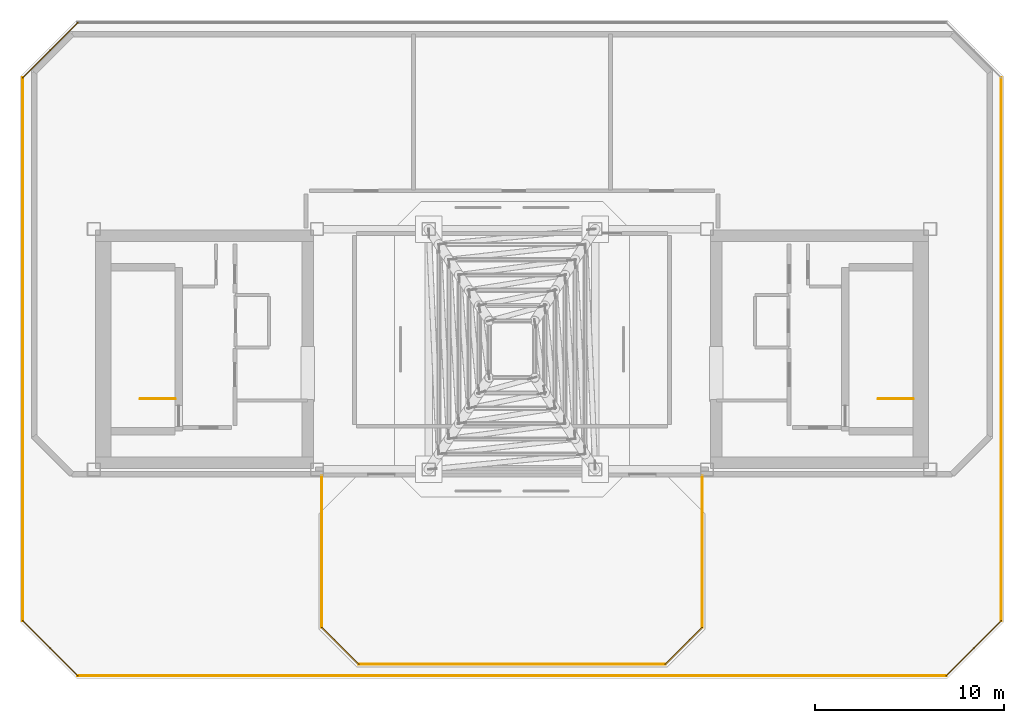
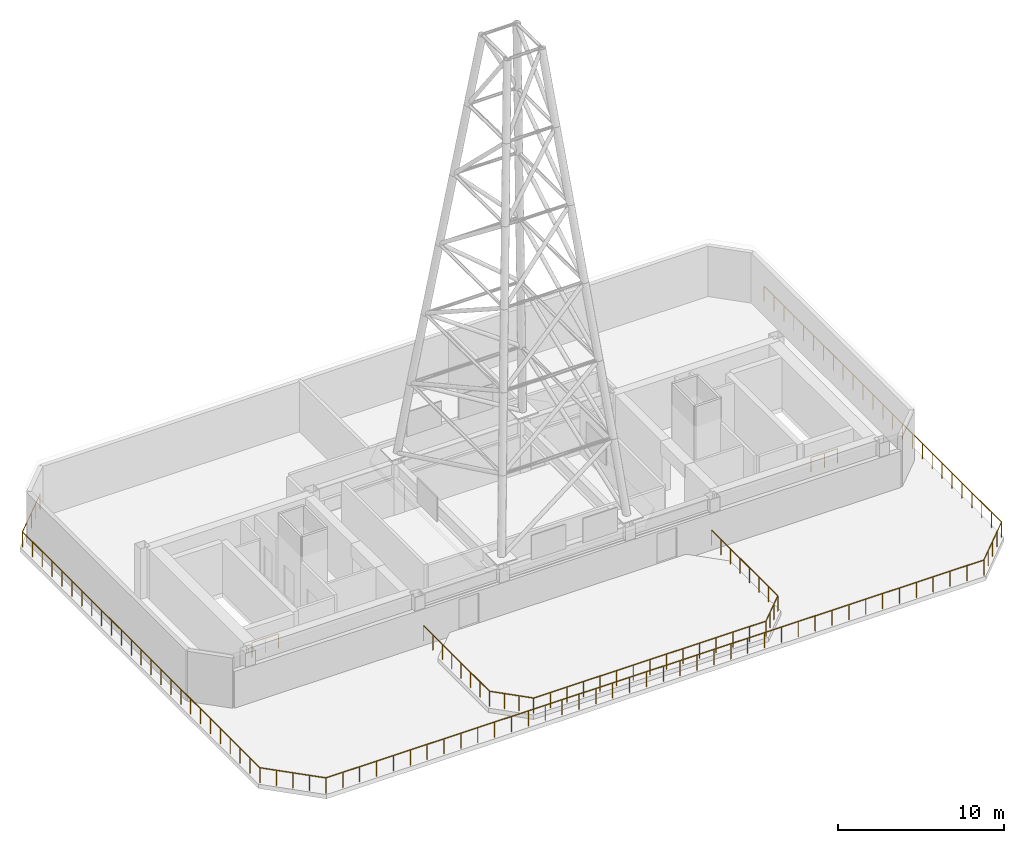
# One storey, part 6 of 7: 13 railings.
"""IFC4 building model written with IfcOpenShell, lengths in metres."""

from ifc_helpers import new_model, si_unit, direction, frame, origin, origin_2d, place, context, subcontext, project, spatial, rectangle, extrude, material, layer, layer_set, type_object, element, save


model = new_model("IFC4")

# Units and contexts
model_context = context("Model", 3, precision=1e-05, world=origin(), true_north=direction((0.0, 1.0)))
body_context = subcontext(model_context, "Body", "Model", "MODEL_VIEW")
ifc_project = project(units=[si_unit("LENGTHUNIT", "METRE"), si_unit("AREAUNIT", "SQUARE_METRE"), si_unit("VOLUMEUNIT", "CUBIC_METRE"), si_unit("PLANEANGLEUNIT", "RADIAN"), si_unit("MASSUNIT", "GRAM", prefix="KILO")], contexts=[model_context])

# Site, building, storey
site_placement = place(None, origin())
site = spatial("IfcSite", under=ifc_project, at=site_placement, CompositionType="ELEMENT")
building_placement = place(site_placement, origin())
building = spatial("IfcBuilding", under=site, at=building_placement, Name="Tavrogorsk Clinical Tower", CompositionType="ELEMENT")
storey_placement = place(building_placement, frame((0.0, 0.0, 357.0)))
storey = spatial("IfcBuildingStorey", under=building, at=storey_placement, Name="L83", CompositionType="ELEMENT", Elevation=357.0)

# Railings
ifc_material_1 = material(Name="Galvanised steel S355 safety guardrail", Category="steel")
ifc_layer_1 = layer(ifc_material_1, 0.080078125)
ifc_layer_set_1 = layer_set([ifc_layer_1], Name="Galvanised steel S355 safety guardrail")
railing_type_1 = type_object("IfcRailingType", Name="RoofEdgeGuardRailing_1150", PredefinedType="GUARDRAIL", material=ifc_layer_set_1)
railing_1_placement = place(storey_placement, frame((-22.94189453125, -17.260009765625, 0.0)))
element("IfcRailing", 1, at=railing_1_placement, inside=storey, type_object=railing_type_1, Name="L83 Helipad Terrace Perimeter Guard GD-02-01", PredefinedType="GUARDRAIL", context=body_context, shape_type="SweptSolid", body=[
    extrude(rectangle(XDim=0.048095703125, YDim=0.048095703125, at=origin_2d()), frame((0.0, 0.0, 1.1259765625), z_axis=(-0.707136360437, 0.707077200698, 0.0), x_axis=(-0.707077200698, -0.707136360437, 0.0)), (0.0, 0.0, 1.0), 4.126708984375),
    extrude(rectangle(XDim=0.0419921875, YDim=0.0419921875, at=origin_2d()), origin(), (0.0, 0.0, 1.0), 1.101806640625),
    extrude(rectangle(XDim=0.0419921875, YDim=0.0419921875, at=origin_2d()), frame((-0.7294921875, 0.7294921875, 0.0)), (0.0, 0.0, 1.0), 1.101806640625),
    extrude(rectangle(XDim=0.0419921875, YDim=0.0419921875, at=origin_2d()), frame((-1.458984375, 1.458984375, 0.0)), (0.0, 0.0, 1.0), 1.101806640625),
    extrude(rectangle(XDim=0.0419921875, YDim=0.0419921875, at=origin_2d()), frame((-2.188720703125, 2.1884765625, 0.0)), (0.0, 0.0, 1.0), 1.101806640625),
    extrude(rectangle(XDim=0.0419921875, YDim=0.0419921875, at=origin_2d()), frame((-2.918212890625, 2.91796875, 0.0)), (0.0, 0.0, 1.0), 1.101806640625),
])
railing_2_placement = place(storey_placement, frame((-25.860107421875, -14.342041015625, 0.0)))
element("IfcRailing", 2, at=railing_2_placement, inside=storey, type_object=railing_type_1, Name="L83 Helipad Terrace Perimeter Guard GD-02-02", PredefinedType="GUARDRAIL", context=body_context, shape_type="SweptSolid", body=[
    extrude(rectangle(XDim=0.048095703125, YDim=0.048095703125, at=origin_2d()), frame((0.0, 0.0, 1.1259765625), z_axis=(0.0, 1.0, 0.0), x_axis=(-1.0, 0.0, 0.0)), (0.0, 0.0, 1.0), 28.68408203125),
    extrude(rectangle(XDim=0.0419921875, YDim=0.0419921875, at=origin_2d()), origin(), (0.0, 0.0, 1.0), 1.101806640625),
    extrude(rectangle(XDim=0.0419921875, YDim=0.0419921875, at=origin_2d()), frame((0.0, 1.195068359375, 0.0)), (0.0, 0.0, 1.0), 1.101806640625),
    extrude(rectangle(XDim=0.0419921875, YDim=0.0419921875, at=origin_2d()), frame((0.0, 2.390380859375, 0.0)), (0.0, 0.0, 1.0), 1.101806640625),
    extrude(rectangle(XDim=0.0419921875, YDim=0.0419921875, at=origin_2d()), frame((0.0, 3.58544921875, 0.0)), (0.0, 0.0, 1.0), 1.101806640625),
    extrude(rectangle(XDim=0.0419921875, YDim=0.0419921875, at=origin_2d()), frame((0.0, 4.78076171875, 0.0)), (0.0, 0.0, 1.0), 1.101806640625),
    extrude(rectangle(XDim=0.0419921875, YDim=0.0419921875, at=origin_2d()), frame((0.0, 5.975830078125, 0.0)), (0.0, 0.0, 1.0), 1.101806640625),
    extrude(rectangle(XDim=0.0419921875, YDim=0.0419921875, at=origin_2d()), frame((0.0, 7.1708984375, 0.0)), (0.0, 0.0, 1.0), 1.101806640625),
    extrude(rectangle(XDim=0.0419921875, YDim=0.0419921875, at=origin_2d()), frame((0.0, 8.3662109375, 0.0)), (0.0, 0.0, 1.0), 1.101806640625),
    extrude(rectangle(XDim=0.0419921875, YDim=0.0419921875, at=origin_2d()), frame((0.0, 9.561279296875, 0.0)), (0.0, 0.0, 1.0), 1.101806640625),
    extrude(rectangle(XDim=0.0419921875, YDim=0.0419921875, at=origin_2d()), frame((0.0, 10.756591796875, 0.0)), (0.0, 0.0, 1.0), 1.101806640625),
    extrude(rectangle(XDim=0.0419921875, YDim=0.0419921875, at=origin_2d()), frame((0.0, 11.95166015625, 0.0)), (0.0, 0.0, 1.0), 1.101806640625),
    extrude(rectangle(XDim=0.0419921875, YDim=0.0419921875, at=origin_2d()), frame((0.0, 13.14697265625, 0.0)), (0.0, 0.0, 1.0), 1.101806640625),
    extrude(rectangle(XDim=0.0419921875, YDim=0.0419921875, at=origin_2d()), frame((0.0, 14.342041015625, 0.0)), (0.0, 0.0, 1.0), 1.101806640625),
    extrude(rectangle(XDim=0.0419921875, YDim=0.0419921875, at=origin_2d()), frame((0.0, 15.537109375, 0.0)), (0.0, 0.0, 1.0), 1.101806640625),
    extrude(rectangle(XDim=0.0419921875, YDim=0.0419921875, at=origin_2d()), frame((0.0, 16.732421875, 0.0)), (0.0, 0.0, 1.0), 1.101806640625),
    extrude(rectangle(XDim=0.0419921875, YDim=0.0419921875, at=origin_2d()), frame((0.0, 17.927490234375, 0.0)), (0.0, 0.0, 1.0), 1.101806640625),
    extrude(rectangle(XDim=0.0419921875, YDim=0.0419921875, at=origin_2d()), frame((0.0, 19.122802734375, 0.0)), (0.0, 0.0, 1.0), 1.101806640625),
    extrude(rectangle(XDim=0.0419921875, YDim=0.0419921875, at=origin_2d()), frame((0.0, 20.31787109375, 0.0)), (0.0, 0.0, 1.0), 1.101806640625),
    extrude(rectangle(XDim=0.0419921875, YDim=0.0419921875, at=origin_2d()), frame((0.0, 21.51318359375, 0.0)), (0.0, 0.0, 1.0), 1.101806640625),
    extrude(rectangle(XDim=0.0419921875, YDim=0.0419921875, at=origin_2d()), frame((0.0, 22.708251953125, 0.0)), (0.0, 0.0, 1.0), 1.101806640625),
    extrude(rectangle(XDim=0.0419921875, YDim=0.0419921875, at=origin_2d()), frame((0.0, 23.9033203125, 0.0)), (0.0, 0.0, 1.0), 1.101806640625),
    extrude(rectangle(XDim=0.0419921875, YDim=0.0419921875, at=origin_2d()), frame((0.0, 25.0986328125, 0.0)), (0.0, 0.0, 1.0), 1.101806640625),
    extrude(rectangle(XDim=0.0419921875, YDim=0.0419921875, at=origin_2d()), frame((0.0, 26.293701171875, 0.0)), (0.0, 0.0, 1.0), 1.101806640625),
    extrude(rectangle(XDim=0.0419921875, YDim=0.0419921875, at=origin_2d()), frame((0.0, 27.489013671875, 0.0)), (0.0, 0.0, 1.0), 1.101806640625),
    extrude(rectangle(XDim=0.0419921875, YDim=0.0419921875, at=origin_2d()), frame((0.0, 28.68408203125, 0.0)), (0.0, 0.0, 1.0), 1.101806640625),
])
railing_3_placement = place(storey_placement, frame((-25.860107421875, 14.342041015625, 0.0)))
element("IfcRailing", 3, at=railing_3_placement, inside=storey, type_object=railing_type_1, Name="L83 Helipad Terrace Perimeter Guard GD-02-03", PredefinedType="GUARDRAIL", context=body_context, shape_type="SweptSolid", body=[
    extrude(rectangle(XDim=0.048095703125, YDim=0.048095703125, at=origin_2d()), frame((0.0, 0.0, 1.1259765625), z_axis=(0.707136360437, 0.707077200698, 0.0), x_axis=(-0.707077200698, 0.707136360437, 0.0)), (0.0, 0.0, 1.0), 4.126708984375),
    extrude(rectangle(XDim=0.0419921875, YDim=0.0419921875, at=origin_2d()), origin(), (0.0, 0.0, 1.0), 1.101806640625),
    extrude(rectangle(XDim=0.0419921875, YDim=0.0419921875, at=origin_2d()), frame((0.7294921875, 0.7294921875, 0.0)), (0.0, 0.0, 1.0), 1.101806640625),
    extrude(rectangle(XDim=0.0419921875, YDim=0.0419921875, at=origin_2d()), frame((1.458984375, 1.458984375, 0.0)), (0.0, 0.0, 1.0), 1.101806640625),
    extrude(rectangle(XDim=0.0419921875, YDim=0.0419921875, at=origin_2d()), frame((2.188720703125, 2.1884765625, 0.0)), (0.0, 0.0, 1.0), 1.101806640625),
    extrude(rectangle(XDim=0.0419921875, YDim=0.0419921875, at=origin_2d()), frame((2.918212890625, 2.91796875, 0.0)), (0.0, 0.0, 1.0), 1.101806640625),
])
railing_4_placement = place(storey_placement, frame((25.860107421875, 14.342041015625, 0.0)))
element("IfcRailing", 4, at=railing_4_placement, inside=storey, type_object=railing_type_1, Name="L83 Helipad Terrace Perimeter Guard GD-02-06", PredefinedType="GUARDRAIL", context=body_context, shape_type="SweptSolid", body=[
    extrude(rectangle(XDim=0.048095703125, YDim=0.048095703125, at=origin_2d()), frame((0.0, 0.0, 1.1259765625), z_axis=(0.0, -1.0, 0.0), x_axis=(1.0, 0.0, 0.0)), (0.0, 0.0, 1.0), 28.68408203125),
    extrude(rectangle(XDim=0.0419921875, YDim=0.0419921875, at=origin_2d()), origin(), (0.0, 0.0, 1.0), 1.101806640625),
    extrude(rectangle(XDim=0.0419921875, YDim=0.0419921875, at=origin_2d()), frame((0.0, -1.195068359375, 0.0)), (0.0, 0.0, 1.0), 1.101806640625),
    extrude(rectangle(XDim=0.0419921875, YDim=0.0419921875, at=origin_2d()), frame((0.0, -2.390380859375, 0.0)), (0.0, 0.0, 1.0), 1.101806640625),
    extrude(rectangle(XDim=0.0419921875, YDim=0.0419921875, at=origin_2d()), frame((0.0, -3.58544921875, 0.0)), (0.0, 0.0, 1.0), 1.101806640625),
    extrude(rectangle(XDim=0.0419921875, YDim=0.0419921875, at=origin_2d()), frame((0.0, -4.78076171875, 0.0)), (0.0, 0.0, 1.0), 1.101806640625),
    extrude(rectangle(XDim=0.0419921875, YDim=0.0419921875, at=origin_2d()), frame((0.0, -5.975830078125, 0.0)), (0.0, 0.0, 1.0), 1.101806640625),
    extrude(rectangle(XDim=0.0419921875, YDim=0.0419921875, at=origin_2d()), frame((0.0, -7.1708984375, 0.0)), (0.0, 0.0, 1.0), 1.101806640625),
    extrude(rectangle(XDim=0.0419921875, YDim=0.0419921875, at=origin_2d()), frame((0.0, -8.3662109375, 0.0)), (0.0, 0.0, 1.0), 1.101806640625),
    extrude(rectangle(XDim=0.0419921875, YDim=0.0419921875, at=origin_2d()), frame((0.0, -9.561279296875, 0.0)), (0.0, 0.0, 1.0), 1.101806640625),
    extrude(rectangle(XDim=0.0419921875, YDim=0.0419921875, at=origin_2d()), frame((0.0, -10.756591796875, 0.0)), (0.0, 0.0, 1.0), 1.101806640625),
    extrude(rectangle(XDim=0.0419921875, YDim=0.0419921875, at=origin_2d()), frame((0.0, -11.95166015625, 0.0)), (0.0, 0.0, 1.0), 1.101806640625),
    extrude(rectangle(XDim=0.0419921875, YDim=0.0419921875, at=origin_2d()), frame((0.0, -13.14697265625, 0.0)), (0.0, 0.0, 1.0), 1.101806640625),
    extrude(rectangle(XDim=0.0419921875, YDim=0.0419921875, at=origin_2d()), frame((0.0, -14.342041015625, 0.0)), (0.0, 0.0, 1.0), 1.101806640625),
    extrude(rectangle(XDim=0.0419921875, YDim=0.0419921875, at=origin_2d()), frame((0.0, -15.537109375, 0.0)), (0.0, 0.0, 1.0), 1.101806640625),
    extrude(rectangle(XDim=0.0419921875, YDim=0.0419921875, at=origin_2d()), frame((0.0, -16.732421875, 0.0)), (0.0, 0.0, 1.0), 1.101806640625),
    extrude(rectangle(XDim=0.0419921875, YDim=0.0419921875, at=origin_2d()), frame((0.0, -17.927490234375, 0.0)), (0.0, 0.0, 1.0), 1.101806640625),
    extrude(rectangle(XDim=0.0419921875, YDim=0.0419921875, at=origin_2d()), frame((0.0, -19.122802734375, 0.0)), (0.0, 0.0, 1.0), 1.101806640625),
    extrude(rectangle(XDim=0.0419921875, YDim=0.0419921875, at=origin_2d()), frame((0.0, -20.31787109375, 0.0)), (0.0, 0.0, 1.0), 1.101806640625),
    extrude(rectangle(XDim=0.0419921875, YDim=0.0419921875, at=origin_2d()), frame((0.0, -21.51318359375, 0.0)), (0.0, 0.0, 1.0), 1.101806640625),
    extrude(rectangle(XDim=0.0419921875, YDim=0.0419921875, at=origin_2d()), frame((0.0, -22.708251953125, 0.0)), (0.0, 0.0, 1.0), 1.101806640625),
    extrude(rectangle(XDim=0.0419921875, YDim=0.0419921875, at=origin_2d()), frame((0.0, -23.9033203125, 0.0)), (0.0, 0.0, 1.0), 1.101806640625),
    extrude(rectangle(XDim=0.0419921875, YDim=0.0419921875, at=origin_2d()), frame((0.0, -25.0986328125, 0.0)), (0.0, 0.0, 1.0), 1.101806640625),
    extrude(rectangle(XDim=0.0419921875, YDim=0.0419921875, at=origin_2d()), frame((0.0, -26.293701171875, 0.0)), (0.0, 0.0, 1.0), 1.101806640625),
    extrude(rectangle(XDim=0.0419921875, YDim=0.0419921875, at=origin_2d()), frame((0.0, -27.489013671875, 0.0)), (0.0, 0.0, 1.0), 1.101806640625),
    extrude(rectangle(XDim=0.0419921875, YDim=0.0419921875, at=origin_2d()), frame((0.0, -28.68408203125, 0.0)), (0.0, 0.0, 1.0), 1.101806640625),
])
railing_5_placement = place(storey_placement, frame((25.860107421875, -14.342041015625, 0.0)))
element("IfcRailing", 5, at=railing_5_placement, inside=storey, type_object=railing_type_1, Name="L83 Helipad Terrace Perimeter Guard GD-02-07", PredefinedType="GUARDRAIL", context=body_context, shape_type="SweptSolid", body=[
    extrude(rectangle(XDim=0.048095703125, YDim=0.048095703125, at=origin_2d()), frame((0.0, 0.0, 1.1259765625), z_axis=(-0.707136360437, -0.707077200698, 0.0), x_axis=(0.707077200698, -0.707136360437, 0.0)), (0.0, 0.0, 1.0), 4.126708984375),
    extrude(rectangle(XDim=0.0419921875, YDim=0.0419921875, at=origin_2d()), origin(), (0.0, 0.0, 1.0), 1.101806640625),
    extrude(rectangle(XDim=0.0419921875, YDim=0.0419921875, at=origin_2d()), frame((-0.7294921875, -0.7294921875, 0.0)), (0.0, 0.0, 1.0), 1.101806640625),
    extrude(rectangle(XDim=0.0419921875, YDim=0.0419921875, at=origin_2d()), frame((-1.458984375, -1.458984375, 0.0)), (0.0, 0.0, 1.0), 1.101806640625),
    extrude(rectangle(XDim=0.0419921875, YDim=0.0419921875, at=origin_2d()), frame((-2.188720703125, -2.1884765625, 0.0)), (0.0, 0.0, 1.0), 1.101806640625),
    extrude(rectangle(XDim=0.0419921875, YDim=0.0419921875, at=origin_2d()), frame((-2.918212890625, -2.91796875, 0.0)), (0.0, 0.0, 1.0), 1.101806640625),
])
railing_6_placement = place(storey_placement, frame((22.94189453125, -17.260009765625, 0.0)))
element("IfcRailing", 6, at=railing_6_placement, inside=storey, type_object=railing_type_1, Name="L83 Helipad Terrace Perimeter Guard GD-02-08", PredefinedType="GUARDRAIL", context=body_context, shape_type="SweptSolid", body=[
    extrude(rectangle(XDim=0.048095703125, YDim=0.048095703125, at=origin_2d()), frame((0.0, 0.0, 1.1259765625), z_axis=(-1.0, 0.0, 0.0), x_axis=(0.0, -1.0, 0.0)), (0.0, 0.0, 1.0), 45.8837890625),
    extrude(rectangle(XDim=0.0419921875, YDim=0.0419921875, at=origin_2d()), origin(), (0.0, 0.0, 1.0), 1.101806640625),
    extrude(rectangle(XDim=0.0419921875, YDim=0.0419921875, at=origin_2d()), frame((-1.176513671875, 0.0, 0.0)), (0.0, 0.0, 1.0), 1.101806640625),
    extrude(rectangle(XDim=0.0419921875, YDim=0.0419921875, at=origin_2d()), frame((-2.35302734375, 0.0, 0.0)), (0.0, 0.0, 1.0), 1.101806640625),
    extrude(rectangle(XDim=0.0419921875, YDim=0.0419921875, at=origin_2d()), frame((-3.529541015625, 0.0, 0.0)), (0.0, 0.0, 1.0), 1.101806640625),
    extrude(rectangle(XDim=0.0419921875, YDim=0.0419921875, at=origin_2d()), frame((-4.7060546875, 0.0, 0.0)), (0.0, 0.0, 1.0), 1.101806640625),
    extrude(rectangle(XDim=0.0419921875, YDim=0.0419921875, at=origin_2d()), frame((-5.882568359375, 0.0, 0.0)), (0.0, 0.0, 1.0), 1.101806640625),
    extrude(rectangle(XDim=0.0419921875, YDim=0.0419921875, at=origin_2d()), frame((-7.05908203125, 0.0, 0.0)), (0.0, 0.0, 1.0), 1.101806640625),
    extrude(rectangle(XDim=0.0419921875, YDim=0.0419921875, at=origin_2d()), frame((-8.235595703125, 0.0, 0.0)), (0.0, 0.0, 1.0), 1.101806640625),
    extrude(rectangle(XDim=0.0419921875, YDim=0.0419921875, at=origin_2d()), frame((-9.412109375, 0.0, 0.0)), (0.0, 0.0, 1.0), 1.101806640625),
    extrude(rectangle(XDim=0.0419921875, YDim=0.0419921875, at=origin_2d()), frame((-10.588623046875, 0.0, 0.0)), (0.0, 0.0, 1.0), 1.101806640625),
    extrude(rectangle(XDim=0.0419921875, YDim=0.0419921875, at=origin_2d()), frame((-11.76513671875, 0.0, 0.0)), (0.0, 0.0, 1.0), 1.101806640625),
    extrude(rectangle(XDim=0.0419921875, YDim=0.0419921875, at=origin_2d()), frame((-12.941650390625, 0.0, 0.0)), (0.0, 0.0, 1.0), 1.101806640625),
    extrude(rectangle(XDim=0.0419921875, YDim=0.0419921875, at=origin_2d()), frame((-14.1181640625, 0.0, 0.0)), (0.0, 0.0, 1.0), 1.101806640625),
    extrude(rectangle(XDim=0.0419921875, YDim=0.0419921875, at=origin_2d()), frame((-15.294677734375, 0.0, 0.0)), (0.0, 0.0, 1.0), 1.101806640625),
    extrude(rectangle(XDim=0.0419921875, YDim=0.0419921875, at=origin_2d()), frame((-16.47119140625, 0.0, 0.0)), (0.0, 0.0, 1.0), 1.101806640625),
    extrude(rectangle(XDim=0.0419921875, YDim=0.0419921875, at=origin_2d()), frame((-17.647705078125, 0.0, 0.0)), (0.0, 0.0, 1.0), 1.101806640625),
    extrude(rectangle(XDim=0.0419921875, YDim=0.0419921875, at=origin_2d()), frame((-18.82421875, 0.0, 0.0)), (0.0, 0.0, 1.0), 1.101806640625),
    extrude(rectangle(XDim=0.0419921875, YDim=0.0419921875, at=origin_2d()), frame((-20.000732421875, 0.0, 0.0)), (0.0, 0.0, 1.0), 1.101806640625),
    extrude(rectangle(XDim=0.0419921875, YDim=0.0419921875, at=origin_2d()), frame((-21.17724609375, 0.0, 0.0)), (0.0, 0.0, 1.0), 1.101806640625),
    extrude(rectangle(XDim=0.0419921875, YDim=0.0419921875, at=origin_2d()), frame((-22.353759765625, 0.0, 0.0)), (0.0, 0.0, 1.0), 1.101806640625),
    extrude(rectangle(XDim=0.0419921875, YDim=0.0419921875, at=origin_2d()), frame((-23.530029296875, 0.0, 0.0)), (0.0, 0.0, 1.0), 1.101806640625),
    extrude(rectangle(XDim=0.0419921875, YDim=0.0419921875, at=origin_2d()), frame((-24.70654296875, 0.0, 0.0)), (0.0, 0.0, 1.0), 1.101806640625),
    extrude(rectangle(XDim=0.0419921875, YDim=0.0419921875, at=origin_2d()), frame((-25.883056640625, 0.0, 0.0)), (0.0, 0.0, 1.0), 1.101806640625),
    extrude(rectangle(XDim=0.0419921875, YDim=0.0419921875, at=origin_2d()), frame((-27.0595703125, 0.0, 0.0)), (0.0, 0.0, 1.0), 1.101806640625),
    extrude(rectangle(XDim=0.0419921875, YDim=0.0419921875, at=origin_2d()), frame((-28.236083984375, 0.0, 0.0)), (0.0, 0.0, 1.0), 1.101806640625),
    extrude(rectangle(XDim=0.0419921875, YDim=0.0419921875, at=origin_2d()), frame((-29.41259765625, 0.0, 0.0)), (0.0, 0.0, 1.0), 1.101806640625),
    extrude(rectangle(XDim=0.0419921875, YDim=0.0419921875, at=origin_2d()), frame((-30.589111328125, 0.0, 0.0)), (0.0, 0.0, 1.0), 1.101806640625),
    extrude(rectangle(XDim=0.0419921875, YDim=0.0419921875, at=origin_2d()), frame((-31.765625, 0.0, 0.0)), (0.0, 0.0, 1.0), 1.101806640625),
    extrude(rectangle(XDim=0.0419921875, YDim=0.0419921875, at=origin_2d()), frame((-32.942138671875, 0.0, 0.0)), (0.0, 0.0, 1.0), 1.101806640625),
    extrude(rectangle(XDim=0.0419921875, YDim=0.0419921875, at=origin_2d()), frame((-34.11865234375, 0.0, 0.0)), (0.0, 0.0, 1.0), 1.101806640625),
    extrude(rectangle(XDim=0.0419921875, YDim=0.0419921875, at=origin_2d()), frame((-35.295166015625, 0.0, 0.0)), (0.0, 0.0, 1.0), 1.101806640625),
    extrude(rectangle(XDim=0.0419921875, YDim=0.0419921875, at=origin_2d()), frame((-36.4716796875, 0.0, 0.0)), (0.0, 0.0, 1.0), 1.101806640625),
    extrude(rectangle(XDim=0.0419921875, YDim=0.0419921875, at=origin_2d()), frame((-37.648193359375, 0.0, 0.0)), (0.0, 0.0, 1.0), 1.101806640625),
    extrude(rectangle(XDim=0.0419921875, YDim=0.0419921875, at=origin_2d()), frame((-38.82470703125, 0.0, 0.0)), (0.0, 0.0, 1.0), 1.101806640625),
    extrude(rectangle(XDim=0.0419921875, YDim=0.0419921875, at=origin_2d()), frame((-40.001220703125, 0.0, 0.0)), (0.0, 0.0, 1.0), 1.101806640625),
    extrude(rectangle(XDim=0.0419921875, YDim=0.0419921875, at=origin_2d()), frame((-41.177734375, 0.0, 0.0)), (0.0, 0.0, 1.0), 1.101806640625),
    extrude(rectangle(XDim=0.0419921875, YDim=0.0419921875, at=origin_2d()), frame((-42.354248046875, 0.0, 0.0)), (0.0, 0.0, 1.0), 1.101806640625),
    extrude(rectangle(XDim=0.0419921875, YDim=0.0419921875, at=origin_2d()), frame((-43.53076171875, 0.0, 0.0)), (0.0, 0.0, 1.0), 1.101806640625),
    extrude(rectangle(XDim=0.0419921875, YDim=0.0419921875, at=origin_2d()), frame((-44.707275390625, 0.0, 0.0)), (0.0, 0.0, 1.0), 1.101806640625),
    extrude(rectangle(XDim=0.0419921875, YDim=0.0419921875, at=origin_2d()), frame((-45.8837890625, 0.0, 0.0)), (0.0, 0.0, 1.0), 1.101806640625),
])
railing_7_placement = place(storey_placement, frame((-10.050048828125, -6.699951171875, 0.320068359375)))
element("IfcRailing", 7, at=railing_7_placement, inside=storey, type_object=railing_type_1, Name="Rooftop Helipad FATO Perimeter Guard GD-02-1", PredefinedType="GUARDRAIL", context=body_context, shape_type="SweptSolid", body=[
    extrude(rectangle(XDim=0.048095703125, YDim=0.048095703125, at=origin_2d()), frame((0.0, 0.0, 1.1259765625), z_axis=(0.0, -1.0, 0.0), x_axis=(1.0, 0.0, 0.0)), (0.0, 0.0, 1.0), 8.0),
    extrude(rectangle(XDim=0.0419921875, YDim=0.0419921875, at=origin_2d()), origin(), (0.0, 0.0, 1.0), 1.101806640625),
    extrude(rectangle(XDim=0.0419921875, YDim=0.0419921875, at=origin_2d()), frame((0.0, -1.142822265625, 0.0)), (0.0, 0.0, 1.0), 1.101806640625),
    extrude(rectangle(XDim=0.0419921875, YDim=0.0419921875, at=origin_2d()), frame((0.0, -2.28564453125, 0.0)), (0.0, 0.0, 1.0), 1.101806640625),
    extrude(rectangle(XDim=0.0419921875, YDim=0.0419921875, at=origin_2d()), frame((0.0, -3.428466796875, 0.0)), (0.0, 0.0, 1.0), 1.101806640625),
    extrude(rectangle(XDim=0.0419921875, YDim=0.0419921875, at=origin_2d()), frame((0.0, -4.571533203125, 0.0)), (0.0, 0.0, 1.0), 1.101806640625),
    extrude(rectangle(XDim=0.0419921875, YDim=0.0419921875, at=origin_2d()), frame((0.0, -5.71435546875, 0.0)), (0.0, 0.0, 1.0), 1.101806640625),
    extrude(rectangle(XDim=0.0419921875, YDim=0.0419921875, at=origin_2d()), frame((0.0, -6.857177734375, 0.0)), (0.0, 0.0, 1.0), 1.101806640625),
    extrude(rectangle(XDim=0.0419921875, YDim=0.0419921875, at=origin_2d()), frame((0.0, -8.0, 0.0)), (0.0, 0.0, 1.0), 1.101806640625),
])
railing_8_placement = place(storey_placement, frame((-10.050048828125, -14.699951171875, 0.320068359375)))
element("IfcRailing", 8, at=railing_8_placement, inside=storey, type_object=railing_type_1, Name="Rooftop Helipad FATO Perimeter Guard GD-02-2", PredefinedType="GUARDRAIL", context=body_context, shape_type="SweptSolid", body=[
    extrude(rectangle(XDim=0.048095703125, YDim=0.048095703125, at=origin_2d()), frame((0.0, 0.0, 1.1259765625), z_axis=(0.707106781187, -0.707106781187, 0.0), x_axis=(0.707106781187, 0.707106781187, 0.0)), (0.0, 0.0, 1.0), 2.757568359375),
    extrude(rectangle(XDim=0.0419921875, YDim=0.0419921875, at=origin_2d()), origin(), (0.0, 0.0, 1.0), 1.101806640625),
    extrude(rectangle(XDim=0.0419921875, YDim=0.0419921875, at=origin_2d()), frame((0.64990234375, -0.64990234375, 0.0)), (0.0, 0.0, 1.0), 1.101806640625),
    extrude(rectangle(XDim=0.0419921875, YDim=0.0419921875, at=origin_2d()), frame((1.300048828125, -1.300048828125, 0.0)), (0.0, 0.0, 1.0), 1.101806640625),
    extrude(rectangle(XDim=0.0419921875, YDim=0.0419921875, at=origin_2d()), frame((1.949951171875, -1.949951171875, 0.0)), (0.0, 0.0, 1.0), 1.101806640625),
])
railing_9_placement = place(storey_placement, frame((-8.10009765625, -16.64990234375, 0.320068359375)))
element("IfcRailing", 9, at=railing_9_placement, inside=storey, type_object=railing_type_1, Name="Rooftop Helipad FATO Perimeter Guard GD-02-3", PredefinedType="GUARDRAIL", context=body_context, shape_type="SweptSolid", body=[
    extrude(rectangle(XDim=0.048095703125, YDim=0.048095703125, at=origin_2d()), frame((0.0, 0.0, 1.1259765625), z_axis=(1.0, 0.0, 0.0), x_axis=(0.0, 1.0, 0.0)), (0.0, 0.0, 1.0), 16.2001953125),
    extrude(rectangle(XDim=0.0419921875, YDim=0.0419921875, at=origin_2d()), origin(), (0.0, 0.0, 1.0), 1.101806640625),
    extrude(rectangle(XDim=0.0419921875, YDim=0.0419921875, at=origin_2d()), frame((1.1572265625, 0.0, 0.0)), (0.0, 0.0, 1.0), 1.101806640625),
    extrude(rectangle(XDim=0.0419921875, YDim=0.0419921875, at=origin_2d()), frame((2.314208984375, 0.0, 0.0)), (0.0, 0.0, 1.0), 1.101806640625),
    extrude(rectangle(XDim=0.0419921875, YDim=0.0419921875, at=origin_2d()), frame((3.471435546875, 0.0, 0.0)), (0.0, 0.0, 1.0), 1.101806640625),
    extrude(rectangle(XDim=0.0419921875, YDim=0.0419921875, at=origin_2d()), frame((4.628662109375, 0.0, 0.0)), (0.0, 0.0, 1.0), 1.101806640625),
    extrude(rectangle(XDim=0.0419921875, YDim=0.0419921875, at=origin_2d()), frame((5.785888671875, 0.0, 0.0)), (0.0, 0.0, 1.0), 1.101806640625),
    extrude(rectangle(XDim=0.0419921875, YDim=0.0419921875, at=origin_2d()), frame((6.94287109375, 0.0, 0.0)), (0.0, 0.0, 1.0), 1.101806640625),
    extrude(rectangle(XDim=0.0419921875, YDim=0.0419921875, at=origin_2d()), frame((8.10009765625, 0.0, 0.0)), (0.0, 0.0, 1.0), 1.101806640625),
    extrude(rectangle(XDim=0.0419921875, YDim=0.0419921875, at=origin_2d()), frame((9.25732421875, 0.0, 0.0)), (0.0, 0.0, 1.0), 1.101806640625),
    extrude(rectangle(XDim=0.0419921875, YDim=0.0419921875, at=origin_2d()), frame((10.414306640625, 0.0, 0.0)), (0.0, 0.0, 1.0), 1.101806640625),
    extrude(rectangle(XDim=0.0419921875, YDim=0.0419921875, at=origin_2d()), frame((11.571533203125, 0.0, 0.0)), (0.0, 0.0, 1.0), 1.101806640625),
    extrude(rectangle(XDim=0.0419921875, YDim=0.0419921875, at=origin_2d()), frame((12.728759765625, 0.0, 0.0)), (0.0, 0.0, 1.0), 1.101806640625),
    extrude(rectangle(XDim=0.0419921875, YDim=0.0419921875, at=origin_2d()), frame((13.885986328125, 0.0, 0.0)), (0.0, 0.0, 1.0), 1.101806640625),
    extrude(rectangle(XDim=0.0419921875, YDim=0.0419921875, at=origin_2d()), frame((15.04296875, 0.0, 0.0)), (0.0, 0.0, 1.0), 1.101806640625),
    extrude(rectangle(XDim=0.0419921875, YDim=0.0419921875, at=origin_2d()), frame((16.2001953125, 0.0, 0.0)), (0.0, 0.0, 1.0), 1.101806640625),
])
railing_10_placement = place(storey_placement, frame((8.10009765625, -16.64990234375, 0.320068359375)))
element("IfcRailing", 10, at=railing_10_placement, inside=storey, type_object=railing_type_1, Name="Rooftop Helipad FATO Perimeter Guard GD-02-4", PredefinedType="GUARDRAIL", context=body_context, shape_type="SweptSolid", body=[
    extrude(rectangle(XDim=0.048095703125, YDim=0.048095703125, at=origin_2d()), frame((0.0, 0.0, 1.1259765625), z_axis=(0.707106781187, 0.707106781187, 0.0), x_axis=(-0.707106781187, 0.707106781187, 0.0)), (0.0, 0.0, 1.0), 2.757568359375),
    extrude(rectangle(XDim=0.0419921875, YDim=0.0419921875, at=origin_2d()), origin(), (0.0, 0.0, 1.0), 1.101806640625),
    extrude(rectangle(XDim=0.0419921875, YDim=0.0419921875, at=origin_2d()), frame((0.64990234375, 0.64990234375, 0.0)), (0.0, 0.0, 1.0), 1.101806640625),
    extrude(rectangle(XDim=0.0419921875, YDim=0.0419921875, at=origin_2d()), frame((1.300048828125, 1.300048828125, 0.0)), (0.0, 0.0, 1.0), 1.101806640625),
    extrude(rectangle(XDim=0.0419921875, YDim=0.0419921875, at=origin_2d()), frame((1.949951171875, 1.949951171875, 0.0)), (0.0, 0.0, 1.0), 1.101806640625),
])
railing_11_placement = place(storey_placement, frame((10.050048828125, -14.699951171875, 0.320068359375)))
element("IfcRailing", 11, at=railing_11_placement, inside=storey, type_object=railing_type_1, Name="Rooftop Helipad FATO Perimeter Guard GD-02-5", PredefinedType="GUARDRAIL", context=body_context, shape_type="SweptSolid", body=[
    extrude(rectangle(XDim=0.048095703125, YDim=0.048095703125, at=origin_2d()), frame((0.0, 0.0, 1.1259765625), z_axis=(0.0, 1.0, 0.0), x_axis=(-1.0, 0.0, 0.0)), (0.0, 0.0, 1.0), 8.0),
    extrude(rectangle(XDim=0.0419921875, YDim=0.0419921875, at=origin_2d()), origin(), (0.0, 0.0, 1.0), 1.101806640625),
    extrude(rectangle(XDim=0.0419921875, YDim=0.0419921875, at=origin_2d()), frame((0.0, 1.142822265625, 0.0)), (0.0, 0.0, 1.0), 1.101806640625),
    extrude(rectangle(XDim=0.0419921875, YDim=0.0419921875, at=origin_2d()), frame((0.0, 2.28564453125, 0.0)), (0.0, 0.0, 1.0), 1.101806640625),
    extrude(rectangle(XDim=0.0419921875, YDim=0.0419921875, at=origin_2d()), frame((0.0, 3.428466796875, 0.0)), (0.0, 0.0, 1.0), 1.101806640625),
    extrude(rectangle(XDim=0.0419921875, YDim=0.0419921875, at=origin_2d()), frame((0.0, 4.571533203125, 0.0)), (0.0, 0.0, 1.0), 1.101806640625),
    extrude(rectangle(XDim=0.0419921875, YDim=0.0419921875, at=origin_2d()), frame((0.0, 5.71435546875, 0.0)), (0.0, 0.0, 1.0), 1.101806640625),
    extrude(rectangle(XDim=0.0419921875, YDim=0.0419921875, at=origin_2d()), frame((0.0, 6.857177734375, 0.0)), (0.0, 0.0, 1.0), 1.101806640625),
    extrude(rectangle(XDim=0.0419921875, YDim=0.0419921875, at=origin_2d()), frame((0.0, 8.0, 0.0)), (0.0, 0.0, 1.0), 1.101806640625),
])
ifc_material_2 = material(Name="Galvanised steel S355 safety stairwell guard", Category="steel")
ifc_layer_2 = layer(ifc_material_2, 0.06005859375)
ifc_layer_set_2 = layer_set([ifc_layer_2], Name="Galvanised steel S355 safety stairwell guard")
railing_type_2 = type_object("IfcRailingType", Name="StairGuard_1150", PredefinedType="GUARDRAIL", material=ifc_layer_set_2)
for number, where, name in (
    (12, (-17.800048828125, -2.625, 0.0), "L83 ST-W top well guard 1"),
    (13, (21.199951171875, -2.625, 0.0), "L83 ST-E top well guard 1"),
):
    element("IfcRailing", number, at=place(storey_placement, frame(where)), inside=storey, type_object=railing_type_2, Name=name, PredefinedType="GUARDRAIL", context=body_context, shape_type="SweptSolid", body=[
        extrude(rectangle(XDim=0.048095703125, YDim=0.048095703125, at=origin_2d()), frame((0.0, 0.0, 1.076171875), z_axis=(-1.0, 0.0, 0.0), x_axis=(0.0, -1.0, 0.0)), (0.0, 0.0, 1.0), 1.849853515625),
        extrude(rectangle(XDim=0.0419921875, YDim=0.0419921875, at=origin_2d()), origin(), (0.0, 0.0, 1.0), 1.052001953125),
        extrude(rectangle(XDim=0.0419921875, YDim=0.0419921875, at=origin_2d()), frame((-0.9248046875, 0.0, 0.0)), (0.0, 0.0, 1.0), 1.052001953125),
        extrude(rectangle(XDim=0.0419921875, YDim=0.0419921875, at=origin_2d()), frame((-1.849853515625, 0.0, 0.0)), (0.0, 0.0, 1.0), 1.052001953125),
    ])

save(model, "model.ifc")
